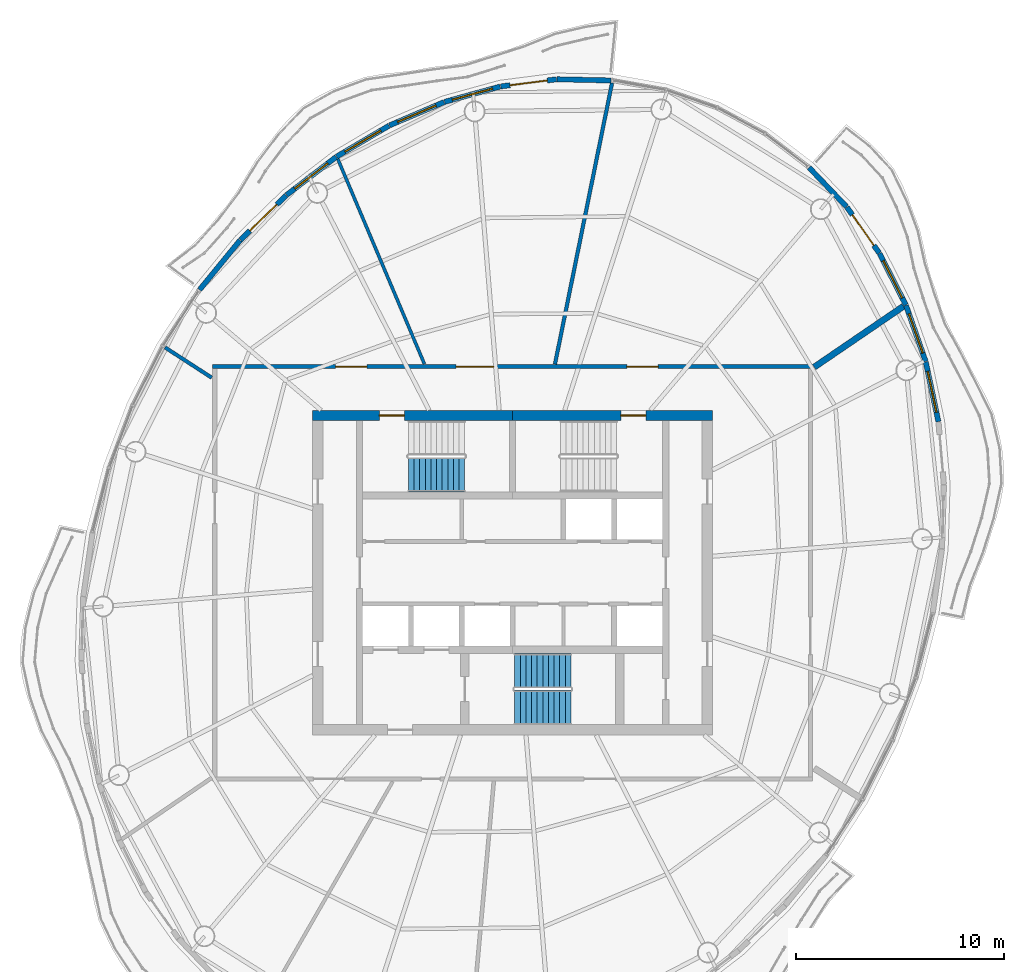
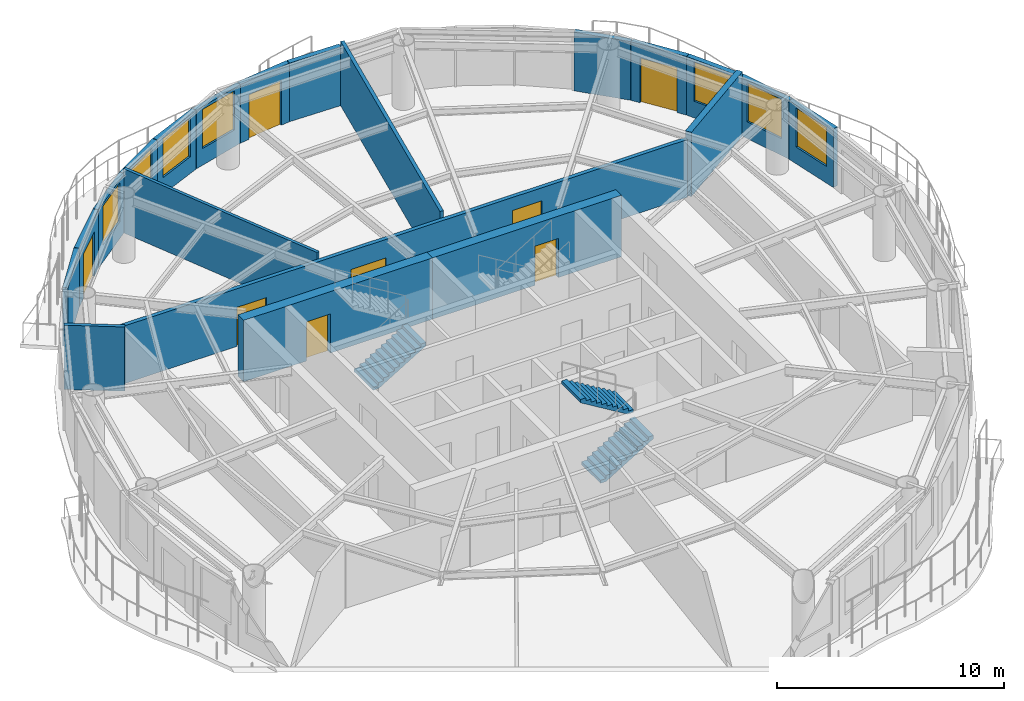
# One storey, part 9 of 13: 20 walls, 8 doors, 7 windows, 3 stair flights, 15 openings, 2 elements without a shape of their own.
"""IFC4 building model written with IfcOpenShell, lengths in metres."""

from ifc_helpers import new_model, si_unit, direction, frame, frame_2d, origin, place, context, subcontext, project, spatial, polyline, rectangle, outline, extrude, material, layer, layer_set, type_object, element, fill, aggregate, save


model = new_model("IFC4")

# Units and contexts
model_context = context("Model", 3, precision=1e-05, world=origin(), true_north=direction((0.0, 1.0)))
body_context = subcontext(model_context, "Body", "Model", "MODEL_VIEW")
ifc_project = project(units=[si_unit("LENGTHUNIT", "METRE"), si_unit("AREAUNIT", "SQUARE_METRE"), si_unit("VOLUMEUNIT", "CUBIC_METRE"), si_unit("PLANEANGLEUNIT", "RADIAN"), si_unit("MASSUNIT", "GRAM", prefix="KILO")], contexts=[model_context])

# Site, building, storey
site_placement = place(None, origin())
site = spatial("IfcSite", under=ifc_project, at=site_placement, CompositionType="ELEMENT")
building_placement = place(site_placement, origin())
building = spatial("IfcBuilding", under=site, at=building_placement, Name="Vermilion Reach Broadcast Tower", CompositionType="ELEMENT")
storey_placement = place(building_placement, frame((0.0, 0.0, 297.300048828125)))
storey = spatial("IfcBuildingStorey", under=building, at=storey_placement, Name="L74", CompositionType="ELEMENT", Elevation=297.300048828125)

# Wall, opening, door
ifc_material_1 = material(Name="Concrete C50", Category="concrete")
ifc_layer_1 = layer(ifc_material_1, 0.5)
ifc_layer_set_1 = layer_set([ifc_layer_1], Name="Core outer wall 500 mm Concrete C50")
wall_type_1 = type_object("IfcWallType", Name="Core outer wall 500 mm Concrete C50", PredefinedType="SHEAR", material=ifc_layer_set_1)
wall_1_placement = place(storey_placement, frame((3.60009765625, 7.550048828125, 0.0), z_axis=(0.0, 0.0, 1.0), x_axis=(-1.0, 0.0, 0.0)))
wall_1 = element("IfcWall", 1, at=wall_1_placement, inside=storey, type_object=wall_type_1, Name="L74 core wall onE", PredefinedType="SHEAR", context=body_context, shape_type="SweptSolid", body=[
    extrude(rectangle(XDim=9.60009765625, YDim=0.5, at=frame_2d((4.800048828125, 0.0))), origin(), (0.0, 0.0, 1.0), 3.300048828125),
])
opening_1_placement = place(wall_1_placement, frame((3.199951171875, 0.0, 0.0)))
opening_1 = element("IfcOpeningElement", 2, at=opening_1_placement, cuts=wall_1, Name="Opening D01", PredefinedType="OPENING", context=body_context, shape_type="SweptSolid", body=[
    extrude(rectangle(XDim=1.199951171875, YDim=2.10009765625, at=frame_2d((0.60009765625, 1.050048828125))), frame((0.0, 0.260009765625, 0.0), z_axis=(0.0, -1.0, 0.0), x_axis=(1.0, 0.0, 0.0)), (0.0, 0.0, 1.0), 0.52001953125),
])
ifc_material_2 = material(Name="Painted steel fire door", Category="steel")
door_type_1 = type_object("IfcDoorType", Name="Stair door 1200 x 2100", OperationType="DOUBLE_DOOR_SINGLE_SWING", PredefinedType="NOTDEFINED", material=ifc_material_2)
door_1_placement = place(opening_1_placement, origin())
door_1 = element("IfcDoor", 3, at=door_1_placement, inside=storey, type_object=door_type_1, Name="L74 stair door ST2", OperationType="DOUBLE_DOOR_SINGLE_SWING", OverallHeight=2.10009765625, OverallWidth=1.199951171875, PredefinedType="NOTDEFINED", context=body_context, shape_type="SweptSolid", body=[
    extrude(rectangle(XDim=1.199951171875, YDim=2.10009765625, at=frame_2d((0.60009765625, 1.050048828125))), frame((0.0, 0.02490234375, 0.0), z_axis=(0.0, -1.0, 0.0), x_axis=(1.0, 0.0, 0.0)), (0.0, 0.0, 1.0), 0.050048828125),
])
fill(opening_1, door_1)

wall_2_placement = place(storey_placement, frame((-6.0, 7.550048828125, 0.0), z_axis=(0.0, 0.0, 1.0), x_axis=(-1.0, 0.0, 0.0)))
wall_2 = element("IfcWall", 4, at=wall_2_placement, inside=storey, type_object=wall_type_1, Name="L74 core wall onW", PredefinedType="SHEAR", context=body_context, shape_type="SweptSolid", body=[
    extrude(rectangle(XDim=9.60009765625, YDim=0.5, at=frame_2d((4.800048828125, 0.0))), origin(), (0.0, 0.0, 1.0), 3.300048828125),
])
opening_2_placement = place(wall_2_placement, frame((5.199951171875, 0.0, 0.0)))
opening_2 = element("IfcOpeningElement", 5, at=opening_2_placement, cuts=wall_2, Name="Opening D01", PredefinedType="OPENING", context=body_context, shape_type="SweptSolid", body=[
    extrude(rectangle(XDim=1.199951171875, YDim=2.10009765625, at=frame_2d((0.60009765625, 1.050048828125))), frame((0.0, 0.260009765625, 0.0), z_axis=(0.0, -1.0, 0.0), x_axis=(1.0, 0.0, 0.0)), (0.0, 0.0, 1.0), 0.52001953125),
])
door_2_placement = place(opening_2_placement, origin())
door_2 = element("IfcDoor", 6, at=door_2_placement, inside=storey, type_object=door_type_1, Name="L74 stair door ST1", OperationType="DOUBLE_DOOR_SINGLE_SWING", OverallHeight=2.10009765625, OverallWidth=1.199951171875, PredefinedType="NOTDEFINED", context=body_context, shape_type="SweptSolid", body=[
    extrude(rectangle(XDim=1.199951171875, YDim=2.10009765625, at=frame_2d((0.60009765625, 1.050048828125))), frame((0.0, 0.02490234375, 0.0), z_axis=(0.0, -1.0, 0.0), x_axis=(1.0, 0.0, 0.0)), (0.0, 0.0, 1.0), 0.050048828125),
])
fill(opening_2, door_2)

# Walls
ifc_material_3 = material(Name="Lightweight concrete block, plastered", Category="concrete")
ifc_layer_2 = layer(ifc_material_3, 0.14990234375)
ifc_layer_set_2 = layer_set([ifc_layer_2], Name="Partition 150 lightweight block")
wall_type_2 = type_object("IfcWallType", Name="Partition 150 lightweight block", PredefinedType="PARTITIONING", material=ifc_layer_set_2)
wall_3_placement = place(storey_placement, frame((-14.396240234375, 19.8701171875, 0.0), z_axis=(0.0, 0.0, 1.0), x_axis=(0.3892448408, -0.921134330003, 0.0)))
element("IfcWall", 7, at=wall_3_placement, inside=storey, type_object=wall_type_2, Name="Partition 74.02", PredefinedType="PARTITIONING", context=body_context, shape_type="SweptSolid", body=[
    extrude(rectangle(XDim=10.683349609375, YDim=0.14990234375, at=frame_2d((5.341796875, 0.0))), origin(), (0.0, 0.0, 1.0), 3.449951171875),
])
ifc_material_4 = material(Name="Fire-rated block, plastered")
ifc_layer_3 = layer(ifc_material_4, 0.175048828125)
ifc_layer_set_3 = layer_set([ifc_layer_3], Name="Partition 175 fire-rated block")
wall_type_3 = type_object("IfcWallType", Name="Partition 175 fire-rated block", PredefinedType="PARTITIONING", material=ifc_layer_set_3)
wall_4_placement = place(storey_placement, frame((-1.22607421875, 23.512451171875, 0.0), z_axis=(0.0, 0.0, 1.0), x_axis=(-0.19897585387, -0.980004392631, 0.0)))
element("IfcWall", 8, at=wall_4_placement, inside=storey, type_object=wall_type_3, Name="Partition 74.01", PredefinedType="PARTITIONING", context=body_context, shape_type="SweptSolid", body=[
    extrude(rectangle(XDim=13.7705078125, YDim=0.175048828125, at=frame_2d((6.88525390625, 0.0))), origin(), (0.0, 0.0, 1.0), 3.449951171875),
])
wall_5_placement = place(storey_placement, frame((-22.69091796875, 10.818603515625, 0.0), z_axis=(0.0, 0.0, 1.0), x_axis=(0.839187719757, -0.543841862134, 0.0)))
element("IfcWall", 9, at=wall_5_placement, inside=storey, type_object=wall_type_3, Name="Partition 74.03", PredefinedType="PARTITIONING", context=body_context, shape_type="SweptSolid", body=[
    extrude(rectangle(XDim=2.67333984375, YDim=0.175048828125, at=frame_2d((1.336669921875, 0.0))), origin(), (0.0, 0.0, 1.0), 3.449951171875),
])
ifc_material_5 = material(Name="Double-leaf plasterboard on isolated steel stud", Category="steel")
ifc_layer_4 = layer(ifc_material_5, 0.300048828125)
ifc_layer_set_4 = layer_set([ifc_layer_4], Name="Partition 300 acoustic double leaf")
wall_type_4 = type_object("IfcWallType", Name="Partition 300 acoustic double leaf", PredefinedType="PARTITIONING", material=ifc_layer_set_4)
wall_6_placement = place(storey_placement, frame((12.7724609375, 12.79736328125, 0.0), z_axis=(0.0, 0.0, 1.0), x_axis=(-0.826281084678, -0.563257995152, 0.0)))
element("IfcWall", 10, at=wall_6_placement, inside=storey, type_object=wall_type_4, Name="Partition 74.08", PredefinedType="PARTITIONING", context=body_context, shape_type="SweptSolid", body=[
    extrude(rectangle(XDim=5.189697265625, YDim=0.300048828125, at=frame_2d((2.5947265625, 0.0))), origin(), (0.0, 0.0, 1.0), 3.449951171875),
])
ifc_material_6 = material(Name="Terracotta rainscreen cladding", Category="masonry")
ifc_layer_5 = layer(ifc_material_6, 0.25)
ifc_layer_set_5 = layer_set([ifc_layer_5], Name="Terracotta rainscreen wall 250")
wall_type_5 = type_object("IfcWallType", Name="Terracotta rainscreen wall 250", PredefinedType="SOLIDWALL", material=ifc_layer_set_5)
wall_7_placement = place(storey_placement, frame((-1.268798828125, 23.63818359375, 0.0), z_axis=(0.0, 0.0, 1.0), x_axis=(-0.999760314133, 0.021893247481, 0.0)))
element("IfcWall", 11, at=wall_7_placement, inside=storey, type_object=wall_type_5, Name="External wall L74 02", PredefinedType="SOLIDWALL", context=body_context, shape_type="SweptSolid", body=[
    extrude(rectangle(XDim=2.598388671875, YDim=0.25, at=frame_2d((1.29931640625, 0.0))), origin(), (0.0, 0.0, 1.0), 3.14990234375),
])

# Wall, opening, door
wall_8_placement = place(storey_placement, frame((-3.89306640625, 23.69384765625, 0.0), z_axis=(0.0, 0.0, 1.0), x_axis=(-0.991933339644, -0.126760599962, 0.0)))
wall_8 = element("IfcWall", 12, at=wall_8_placement, inside=storey, type_object=wall_type_5, Name="External wall L74 03", PredefinedType="SOLIDWALL", context=body_context, shape_type="SweptSolid", body=[
    extrude(rectangle(XDim=2.7001953125, YDim=0.25, at=frame_2d((1.35009765625, 0.0))), origin(), (0.0, 0.0, 1.0), 3.14990234375),
])
opening_3_placement = place(wall_8_placement, frame((0.449951171875, 0.0, 0.0)))
opening_3 = element("IfcOpeningElement", 13, at=opening_3_placement, cuts=wall_8, Name="Opening D70", PredefinedType="OPENING", context=body_context, shape_type="SweptSolid", body=[
    extrude(rectangle(XDim=1.800048828125, YDim=2.39990234375, at=frame_2d((0.89990234375, 1.199951171875))), frame((0.0, 0.135009765625, 0.0), z_axis=(0.0, -1.0, 0.0), x_axis=(1.0, 0.0, 0.0)), (0.0, 0.0, 1.0), 0.27001953125),
])
ifc_material_7 = material(Name="Low-e laminated clear glass in aluminium frame", Category="aluminium")
door_type_2 = type_object("IfcDoorType", Name="Balcony sliding door 1800 x 2400", OperationType="DOUBLE_DOOR_SLIDING", PredefinedType="DOOR", material=ifc_material_7)
door_3_placement = place(opening_3_placement, origin())
door_3 = element("IfcDoor", 14, at=door_3_placement, inside=storey, type_object=door_type_2, Name="Balcony door L74 run 01", OperationType="DOUBLE_DOOR_SLIDING", OverallHeight=2.39990234375, OverallWidth=1.800048828125, PredefinedType="DOOR", context=body_context, shape_type="SweptSolid", body=[
    extrude(rectangle(XDim=1.800048828125, YDim=2.39990234375, at=frame_2d((0.89990234375, 1.199951171875))), frame((0.0, 0.02490234375, 0.0), z_axis=(0.0, -1.0, 0.0), x_axis=(1.0, 0.0, 0.0)), (0.0, 0.0, 1.0), 0.050048828125),
])
fill(opening_3, door_3)

# Wall, opening, window
wall_9_placement = place(storey_placement, frame((-6.5966796875, 23.346435546875, 0.0), z_axis=(0.0, 0.0, 1.0), x_axis=(-0.963931868204, -0.266149118841, 0.0)))
wall_9 = element("IfcWall", 15, at=wall_9_placement, inside=storey, type_object=wall_type_5, Name="External wall L74 04", PredefinedType="SOLIDWALL", context=body_context, shape_type="SweptSolid", body=[
    extrude(rectangle(XDim=2.772216796875, YDim=0.25, at=frame_2d((1.38623046875, 0.0))), origin(), (0.0, 0.0, 1.0), 3.14990234375),
])
opening_4_placement = place(wall_9_placement, frame((0.385986328125, 0.0, 0.89990234375)))
opening_4 = element("IfcOpeningElement", 16, at=opening_4_placement, cuts=wall_9, Name="Opening W03", PredefinedType="OPENING", context=body_context, shape_type="SweptSolid", body=[
    extrude(rectangle(XDim=2.0, YDim=2.10009765625, at=frame_2d((1.0, 1.050048828125))), frame((0.0, 0.135009765625, 0.0), z_axis=(0.0, -1.0, 0.0), x_axis=(1.0, 0.0, 0.0)), (0.0, 0.0, 1.0), 0.27001953125),
])
ifc_material_8 = material(Name="Low-e laminated clear glass in aluminium frame", Category="aluminium")
window_type = type_object("IfcWindowType", Name="Punched window 2000 x 2100 sill 900", PartitioningType="SINGLE_PANEL", PredefinedType="WINDOW", material=ifc_material_8)
window_1_placement = place(opening_4_placement, origin())
window_1 = element("IfcWindow", 17, at=window_1_placement, inside=storey, type_object=window_type, Name="Window L74 04", OverallHeight=2.10009765625, OverallWidth=2.0, PartitioningType="SINGLE_PANEL", PredefinedType="WINDOW", context=body_context, shape_type="SweptSolid", body=[
    extrude(rectangle(XDim=2.0, YDim=2.10009765625, at=frame_2d((1.0, 1.050048828125))), frame((0.0, 0.030029296875, 0.0), z_axis=(0.0, -1.0, 0.0), x_axis=(1.0, 0.0, 0.0)), (0.0, 0.0, 1.0), 0.06005859375),
])
fill(opening_4, window_1)

wall_10_placement = place(storey_placement, frame((-9.292236328125, 22.6005859375, 0.0), z_axis=(0.0, 0.0, 1.0), x_axis=(-0.919251327093, -0.393671179586, 0.0)))
wall_10 = element("IfcWall", 18, at=wall_10_placement, inside=storey, type_object=wall_type_5, Name="External wall L74 05", PredefinedType="SOLIDWALL", context=body_context, shape_type="SweptSolid", body=[
    extrude(rectangle(XDim=2.850341796875, YDim=0.25, at=frame_2d((1.42529296875, 0.0))), origin(), (0.0, 0.0, 1.0), 3.14990234375),
])
opening_5_placement = place(wall_10_placement, frame((0.425048828125, 0.0, 0.89990234375)))
opening_5 = element("IfcOpeningElement", 19, at=opening_5_placement, cuts=wall_10, Name="Opening W03", PredefinedType="OPENING", context=body_context, shape_type="SweptSolid", body=[
    extrude(rectangle(XDim=2.0, YDim=2.10009765625, at=frame_2d((1.0, 1.050048828125))), frame((0.0, 0.135009765625, 0.0), z_axis=(0.0, -1.0, 0.0), x_axis=(1.0, 0.0, 0.0)), (0.0, 0.0, 1.0), 0.27001953125),
])
window_2_placement = place(opening_5_placement, origin())
window_2 = element("IfcWindow", 20, at=window_2_placement, inside=storey, type_object=window_type, Name="Window L74 05", OverallHeight=2.10009765625, OverallWidth=2.0, PartitioningType="SINGLE_PANEL", PredefinedType="WINDOW", context=body_context, shape_type="SweptSolid", body=[
    extrude(rectangle(XDim=2.0, YDim=2.10009765625, at=frame_2d((1.0, 1.050048828125))), frame((0.0, 0.030029296875, 0.0), z_axis=(0.0, -1.0, 0.0), x_axis=(1.0, 0.0, 0.0)), (0.0, 0.0, 1.0), 0.06005859375),
])
fill(opening_5, window_2)

wall_11_placement = place(storey_placement, frame((-11.933837890625, 21.4677734375, 0.0), z_axis=(0.0, 0.0, 1.0), x_axis=(-0.861243352176, -0.508192766902, 0.0)))
wall_11 = element("IfcWall", 21, at=wall_11_placement, inside=storey, type_object=wall_type_5, Name="External wall L74 06", PredefinedType="SOLIDWALL", context=body_context, shape_type="SweptSolid", body=[
    extrude(rectangle(XDim=2.928466796875, YDim=0.25, at=frame_2d((1.46435546875, 0.0))), origin(), (0.0, 0.0, 1.0), 3.14990234375),
])
opening_6_placement = place(wall_11_placement, frame((0.46435546875, 0.0, 0.89990234375)))
opening_6 = element("IfcOpeningElement", 22, at=opening_6_placement, cuts=wall_11, Name="Opening W03", PredefinedType="OPENING", context=body_context, shape_type="SweptSolid", body=[
    extrude(rectangle(XDim=2.0, YDim=2.10009765625, at=frame_2d((1.0, 1.050048828125))), frame((0.0, 0.135009765625, 0.0), z_axis=(0.0, -1.0, 0.0), x_axis=(1.0, 0.0, 0.0)), (0.0, 0.0, 1.0), 0.27001953125),
])
window_3_placement = place(opening_6_placement, origin())
window_3 = element("IfcWindow", 23, at=window_3_placement, inside=storey, type_object=window_type, Name="Window L74 06", OverallHeight=2.10009765625, OverallWidth=2.0, PartitioningType="SINGLE_PANEL", PredefinedType="WINDOW", context=body_context, shape_type="SweptSolid", body=[
    extrude(rectangle(XDim=2.0, YDim=2.10009765625, at=frame_2d((1.0, 1.050048828125))), frame((0.0, 0.030029296875, 0.0), z_axis=(0.0, -1.0, 0.0), x_axis=(1.0, 0.0, 0.0)), (0.0, 0.0, 1.0), 0.06005859375),
])
fill(opening_6, window_3)

wall_12_placement = place(storey_placement, frame((-14.475341796875, 19.966552734375, 0.0), z_axis=(0.0, 0.0, 1.0), x_axis=(-0.792959396459, -0.609274482944, 0.0)))
wall_12 = element("IfcWall", 24, at=wall_12_placement, inside=storey, type_object=wall_type_5, Name="External wall L74 07", PredefinedType="SOLIDWALL", context=body_context, shape_type="SweptSolid", body=[
    extrude(rectangle(XDim=3.00244140625, YDim=0.25, at=frame_2d((1.501220703125, 0.0))), origin(), (0.0, 0.0, 1.0), 3.14990234375),
])
opening_7_placement = place(wall_12_placement, frame((0.501220703125, 0.0, 0.89990234375)))
opening_7 = element("IfcOpeningElement", 25, at=opening_7_placement, cuts=wall_12, Name="Opening W03", PredefinedType="OPENING", context=body_context, shape_type="SweptSolid", body=[
    extrude(rectangle(XDim=2.0, YDim=2.10009765625, at=frame_2d((1.0, 1.050048828125))), frame((0.0, 0.135009765625, 0.0), z_axis=(0.0, -1.0, 0.0), x_axis=(1.0, 0.0, 0.0)), (0.0, 0.0, 1.0), 0.27001953125),
])
window_4_placement = place(opening_7_placement, origin())
window_4 = element("IfcWindow", 26, at=window_4_placement, inside=storey, type_object=window_type, Name="Window L74 07", OverallHeight=2.10009765625, OverallWidth=2.0, PartitioningType="SINGLE_PANEL", PredefinedType="WINDOW", context=body_context, shape_type="SweptSolid", body=[
    extrude(rectangle(XDim=2.0, YDim=2.10009765625, at=frame_2d((1.0, 1.050048828125))), frame((0.0, 0.030029296875, 0.0), z_axis=(0.0, -1.0, 0.0), x_axis=(1.0, 0.0, 0.0)), (0.0, 0.0, 1.0), 0.06005859375),
])
fill(opening_7, window_4)

# Wall, opening, door
wall_13_placement = place(storey_placement, frame((-16.873291015625, 18.122314453125, 0.0), z_axis=(0.0, 0.0, 1.0), x_axis=(-0.716476423042, -0.697611306692, 0.0)))
wall_13 = element("IfcWall", 27, at=wall_13_placement, inside=storey, type_object=wall_type_5, Name="External wall L74 08", PredefinedType="SOLIDWALL", context=body_context, shape_type="SweptSolid", body=[
    extrude(rectangle(XDim=3.067138671875, YDim=0.25, at=frame_2d((1.53369140625, 0.0))), origin(), (0.0, 0.0, 1.0), 3.14990234375),
])
opening_8_placement = place(wall_13_placement, frame((0.634033203125, 0.0, 0.0)))
opening_8 = element("IfcOpeningElement", 28, at=opening_8_placement, cuts=wall_13, Name="Opening D70", PredefinedType="OPENING", context=body_context, shape_type="SweptSolid", body=[
    extrude(rectangle(XDim=1.800048828125, YDim=2.39990234375, at=frame_2d((0.89990234375, 1.199951171875))), frame((0.0, 0.135009765625, 0.0), z_axis=(0.0, -1.0, 0.0), x_axis=(1.0, 0.0, 0.0)), (0.0, 0.0, 1.0), 0.27001953125),
])
door_4_placement = place(opening_8_placement, origin())
door_4 = element("IfcDoor", 29, at=door_4_placement, inside=storey, type_object=door_type_2, Name="Balcony door L74 run 02", OperationType="DOUBLE_DOOR_SLIDING", OverallHeight=2.39990234375, OverallWidth=1.800048828125, PredefinedType="DOOR", context=body_context, shape_type="SweptSolid", body=[
    extrude(rectangle(XDim=1.800048828125, YDim=2.39990234375, at=frame_2d((0.89990234375, 1.199951171875))), frame((0.0, 0.02490234375, 0.0), z_axis=(0.0, -1.0, 0.0), x_axis=(1.0, 0.0, 0.0)), (0.0, 0.0, 1.0), 0.050048828125),
])
fill(opening_8, door_4)

# Wall
wall_14_placement = place(storey_placement, frame((-19.085693359375, 15.96630859375, 0.0), z_axis=(0.0, 0.0, 1.0), x_axis=(-0.63346692687, -0.773769767154, 0.0)))
element("IfcWall", 30, at=wall_14_placement, inside=storey, type_object=wall_type_5, Name="External wall L74 09", PredefinedType="SOLIDWALL", context=body_context, shape_type="SweptSolid", body=[
    extrude(rectangle(XDim=3.07470703125, YDim=0.25, at=frame_2d((1.537353515625, 0.0))), origin(), (0.0, 0.0, 1.0), 3.14990234375),
])

# Wall, opening, window
wall_15_placement = place(storey_placement, frame((14.44580078125, 7.25634765625, 0.0), z_axis=(0.0, 0.0, 1.0), x_axis=(-0.206909487165, 0.978360089191, 0.0)))
wall_15 = element("IfcWall", 31, at=wall_15_placement, inside=storey, type_object=wall_type_5, Name="External wall L74 41", PredefinedType="SOLIDWALL", context=body_context, shape_type="SweptSolid", body=[
    extrude(rectangle(XDim=2.9287109375, YDim=0.25, at=frame_2d((1.46435546875, 0.0))), origin(), (0.0, 0.0, 1.0), 3.14990234375),
])
opening_9_placement = place(wall_15_placement, frame((0.46435546875, 0.0, 0.89990234375)))
opening_9 = element("IfcOpeningElement", 32, at=opening_9_placement, cuts=wall_15, Name="Opening W03", PredefinedType="OPENING", context=body_context, shape_type="SweptSolid", body=[
    extrude(rectangle(XDim=2.0, YDim=2.10009765625, at=frame_2d((1.0, 1.050048828125))), frame((0.0, 0.135009765625, 0.0), z_axis=(0.0, -1.0, 0.0), x_axis=(1.0, 0.0, 0.0)), (0.0, 0.0, 1.0), 0.27001953125),
])
window_5_placement = place(opening_9_placement, origin())
window_5 = element("IfcWindow", 33, at=window_5_placement, inside=storey, type_object=window_type, Name="Window L74 41", OverallHeight=2.10009765625, OverallWidth=2.0, PartitioningType="SINGLE_PANEL", PredefinedType="WINDOW", context=body_context, shape_type="SweptSolid", body=[
    extrude(rectangle(XDim=2.0, YDim=2.10009765625, at=frame_2d((1.0, 1.050048828125))), frame((0.0, 0.030029296875, 0.0), z_axis=(0.0, -1.0, 0.0), x_axis=(1.0, 0.0, 0.0)), (0.0, 0.0, 1.0), 0.06005859375),
])
fill(opening_9, window_5)

wall_16_placement = place(storey_placement, frame((13.83349609375, 10.144775390625, 0.0), z_axis=(0.0, 0.0, 1.0), x_axis=(-0.330480153195, 0.943812941395, 0.0)))
wall_16 = element("IfcWall", 34, at=wall_16_placement, inside=storey, type_object=wall_type_5, Name="External wall L74 42", PredefinedType="SOLIDWALL", context=body_context, shape_type="SweptSolid", body=[
    extrude(rectangle(XDim=2.85009765625, YDim=0.25, at=frame_2d((1.425048828125, 0.0))), origin(), (0.0, 0.0, 1.0), 3.14990234375),
])
opening_10_placement = place(wall_16_placement, frame((0.425048828125, 0.0, 0.89990234375)))
opening_10 = element("IfcOpeningElement", 35, at=opening_10_placement, cuts=wall_16, Name="Opening W03", PredefinedType="OPENING", context=body_context, shape_type="SweptSolid", body=[
    extrude(rectangle(XDim=2.0, YDim=2.10009765625, at=frame_2d((1.0, 1.050048828125))), frame((0.0, 0.135009765625, 0.0), z_axis=(0.0, -1.0, 0.0), x_axis=(1.0, 0.0, 0.0)), (0.0, 0.0, 1.0), 0.27001953125),
])
window_6_placement = place(opening_10_placement, origin())
window_6 = element("IfcWindow", 36, at=window_6_placement, inside=storey, type_object=window_type, Name="Window L74 42", OverallHeight=2.10009765625, OverallWidth=2.0, PartitioningType="SINGLE_PANEL", PredefinedType="WINDOW", context=body_context, shape_type="SweptSolid", body=[
    extrude(rectangle(XDim=2.0, YDim=2.10009765625, at=frame_2d((1.0, 1.050048828125))), frame((0.0, 0.030029296875, 0.0), z_axis=(0.0, -1.0, 0.0), x_axis=(1.0, 0.0, 0.0)), (0.0, 0.0, 1.0), 0.06005859375),
])
fill(opening_10, window_6)

wall_17_placement = place(storey_placement, frame((12.8818359375, 12.857666015625, 0.0), z_axis=(0.0, 0.0, 1.0), x_axis=(-0.454701355294, 0.890643967865, 0.0)))
wall_17 = element("IfcWall", 37, at=wall_17_placement, inside=storey, type_object=wall_type_5, Name="External wall L74 43", PredefinedType="SOLIDWALL", context=body_context, shape_type="SweptSolid", body=[
    extrude(rectangle(XDim=2.772216796875, YDim=0.25, at=frame_2d((1.38623046875, 0.0))), origin(), (0.0, 0.0, 1.0), 3.14990234375),
])
opening_11_placement = place(wall_17_placement, frame((0.385986328125, 0.0, 0.89990234375)))
opening_11 = element("IfcOpeningElement", 38, at=opening_11_placement, cuts=wall_17, Name="Opening W03", PredefinedType="OPENING", context=body_context, shape_type="SweptSolid", body=[
    extrude(rectangle(XDim=2.0, YDim=2.10009765625, at=frame_2d((1.0, 1.050048828125))), frame((0.0, 0.135009765625, 0.0), z_axis=(0.0, -1.0, 0.0), x_axis=(1.0, 0.0, 0.0)), (0.0, 0.0, 1.0), 0.27001953125),
])
window_7_placement = place(opening_11_placement, origin())
window_7 = element("IfcWindow", 39, at=window_7_placement, inside=storey, type_object=window_type, Name="Window L74 43", OverallHeight=2.10009765625, OverallWidth=2.0, PartitioningType="SINGLE_PANEL", PredefinedType="WINDOW", context=body_context, shape_type="SweptSolid", body=[
    extrude(rectangle(XDim=2.0, YDim=2.10009765625, at=frame_2d((1.0, 1.050048828125))), frame((0.0, 0.030029296875, 0.0), z_axis=(0.0, -1.0, 0.0), x_axis=(1.0, 0.0, 0.0)), (0.0, 0.0, 1.0), 0.06005859375),
])
fill(opening_11, window_7)

# Wall, opening, door
wall_18_placement = place(storey_placement, frame((11.60791015625, 15.3486328125, 0.0), z_axis=(0.0, 0.0, 1.0), x_axis=(-0.576395629651, 0.817170776594, 0.0)))
wall_18 = element("IfcWall", 40, at=wall_18_placement, inside=storey, type_object=wall_type_5, Name="External wall L74 44", PredefinedType="SOLIDWALL", context=body_context, shape_type="SweptSolid", body=[
    extrude(rectangle(XDim=2.7001953125, YDim=0.25, at=frame_2d((1.35009765625, 0.0))), origin(), (0.0, 0.0, 1.0), 3.14990234375),
])
opening_12_placement = place(wall_18_placement, frame((0.449951171875, 0.0, 0.0)))
opening_12 = element("IfcOpeningElement", 41, at=opening_12_placement, cuts=wall_18, Name="Opening D70", PredefinedType="OPENING", context=body_context, shape_type="SweptSolid", body=[
    extrude(rectangle(XDim=1.800048828125, YDim=2.39990234375, at=frame_2d((0.89990234375, 1.199951171875))), frame((0.0, 0.135009765625, 0.0), z_axis=(0.0, -1.0, 0.0), x_axis=(1.0, 0.0, 0.0)), (0.0, 0.0, 1.0), 0.27001953125),
])
door_5_placement = place(opening_12_placement, origin())
door_5 = element("IfcDoor", 42, at=door_5_placement, inside=storey, type_object=door_type_2, Name="Balcony door L74 run 11", OperationType="DOUBLE_DOOR_SLIDING", OverallHeight=2.39990234375, OverallWidth=1.800048828125, PredefinedType="DOOR", context=body_context, shape_type="SweptSolid", body=[
    extrude(rectangle(XDim=1.800048828125, YDim=2.39990234375, at=frame_2d((0.89990234375, 1.199951171875))), frame((0.0, 0.02490234375, 0.0), z_axis=(0.0, -1.0, 0.0), x_axis=(1.0, 0.0, 0.0)), (0.0, 0.0, 1.0), 0.050048828125),
])
fill(opening_12, door_5)

# Wall
wall_19_placement = place(storey_placement, frame((10.03466796875, 17.57568359375, 0.0), z_axis=(0.0, 0.0, 1.0), x_axis=(-0.691337834589, 0.722531659145, 0.0)))
element("IfcWall", 43, at=wall_19_placement, inside=storey, type_object=wall_type_5, Name="External wall L74 45", PredefinedType="SOLIDWALL", context=body_context, shape_type="SweptSolid", body=[
    extrude(rectangle(XDim=2.598388671875, YDim=0.25, at=frame_2d((1.29931640625, 0.0))), origin(), (0.0, 0.0, 1.0), 3.14990234375),
])

# Wall, openings, doors
ifc_material_9 = material(Name="Fire-rated gypsum board partition")
ifc_layer_6 = layer(ifc_material_9, 0.199951171875)
ifc_layer_set_6 = layer_set([ifc_layer_6], Name="Under girder: Corridor wall 200 fire-rated")
wall_type_6 = type_object("IfcWallType", Name="Under girder: Corridor wall 200 fire-rated", PredefinedType="PARTITIONING", material=ifc_layer_set_6)
wall_20_placement = place(storey_placement, frame((-20.39990234375, 9.89990234375, 0.0), z_axis=(0.0, 0.0, 1.0), x_axis=(1.0, 0.0, 0.0)))
wall_20 = element("IfcWall", 44, at=wall_20_placement, inside=storey, type_object=wall_type_6, Name="Corridor wall 74.N", PredefinedType="PARTITIONING", context=body_context, shape_type="SweptSolid", body=[
    extrude(rectangle(XDim=28.7998046875, YDim=0.199951171875, at=frame_2d((14.39990234375, 0.0))), origin(), (0.0, 0.0, 1.0), 3.099853515625),
])
opening_13_placement = place(wall_20_placement, frame((11.686279296875, 0.0, 0.0)))
opening_13 = element("IfcOpeningElement", 45, at=opening_13_placement, cuts=wall_20, Name="Opening D21", PredefinedType="OPENING", context=body_context, shape_type="SweptSolid", body=[
    extrude(rectangle(XDim=1.800048828125, YDim=2.10009765625, at=frame_2d((0.89990234375, 1.050048828125))), frame((0.0, 0.10986328125, 0.0), z_axis=(0.0, -1.0, 0.0), x_axis=(1.0, 0.0, 0.0)), (0.0, 0.0, 1.0), 0.219970703125),
])
opening_14_placement = place(wall_20_placement, frame((5.897216796875, 0.0, 0.0)))
opening_14 = element("IfcOpeningElement", 46, at=opening_14_placement, cuts=wall_20, Name="Opening D24", PredefinedType="OPENING", context=body_context, shape_type="SweptSolid", body=[
    extrude(rectangle(XDim=1.5, YDim=2.10009765625, at=frame_2d((0.75, 1.050048828125))), frame((0.0, 0.10986328125, 0.0), z_axis=(0.0, -1.0, 0.0), x_axis=(1.0, 0.0, 0.0)), (0.0, 0.0, 1.0), 0.219970703125),
])
opening_15_placement = place(wall_20_placement, frame((19.891357421875, 0.0, 0.0)))
opening_15 = element("IfcOpeningElement", 47, at=opening_15_placement, cuts=wall_20, Name="Opening D25", PredefinedType="OPENING", context=body_context, shape_type="SweptSolid", body=[
    extrude(rectangle(XDim=1.5, YDim=2.39990234375, at=frame_2d((0.75, 1.199951171875))), frame((0.0, 0.10986328125, 0.0), z_axis=(0.0, -1.0, 0.0), x_axis=(1.0, 0.0, 0.0)), (0.0, 0.0, 1.0), 0.219970703125),
])
ifc_material_10 = material(Name="Timber door leaf", Category="wood")
door_type_3 = type_object("IfcDoorType", Name="Door pair 1500x2100", OperationType="NOTDEFINED", PredefinedType="DOOR", material=ifc_material_10)
door_6_placement = place(opening_14_placement, origin())
door_6 = element("IfcDoor", 48, at=door_6_placement, inside=storey, type_object=door_type_3, Name="Door 74.02", OperationType="DOUBLE_DOOR_SINGLE_SWING", OverallHeight=2.10009765625, OverallWidth=1.5, PredefinedType="DOOR", context=body_context, shape_type="SweptSolid", body=[
    extrude(rectangle(XDim=1.5, YDim=2.10009765625, at=frame_2d((0.75, 1.050048828125))), frame((0.0, 0.02490234375, 0.0), z_axis=(0.0, -1.0, 0.0), x_axis=(1.0, 0.0, 0.0)), (0.0, 0.0, 1.0), 0.050048828125),
])
fill(opening_14, door_6)
ifc_material_11 = material(Name="Glazed timber door leaf", Category="wood")
door_type_4 = type_object("IfcDoorType", Name="Door pair 1500x2400", OperationType="NOTDEFINED", PredefinedType="DOOR", material=ifc_material_11)
door_7_placement = place(opening_15_placement, origin())
door_7 = element("IfcDoor", 49, at=door_7_placement, inside=storey, type_object=door_type_4, Name="Door 74.08", OperationType="DOUBLE_DOOR_SINGLE_SWING", OverallHeight=2.39990234375, OverallWidth=1.5, PredefinedType="DOOR", context=body_context, shape_type="SweptSolid", body=[
    extrude(rectangle(XDim=1.5, YDim=2.39990234375, at=frame_2d((0.75, 1.199951171875))), frame((0.0, 0.02490234375, 0.0), z_axis=(0.0, -1.0, 0.0), x_axis=(1.0, 0.0, 0.0)), (0.0, 0.0, 1.0), 0.050048828125),
])
fill(opening_15, door_7)
ifc_material_12 = material(Name="Timber door leaf", Category="wood")
door_type_5 = type_object("IfcDoorType", Name="Door pair 1800x2100", OperationType="NOTDEFINED", PredefinedType="DOOR", material=ifc_material_12)
door_8_placement = place(opening_13_placement, origin())
door_8 = element("IfcDoor", 50, at=door_8_placement, inside=storey, type_object=door_type_5, Name="Door 74.01", OperationType="DOUBLE_DOOR_SINGLE_SWING", OverallHeight=2.10009765625, OverallWidth=1.800048828125, PredefinedType="DOOR", context=body_context, shape_type="SweptSolid", body=[
    extrude(rectangle(XDim=1.800048828125, YDim=2.10009765625, at=frame_2d((0.89990234375, 1.050048828125))), frame((0.0, 0.02490234375, 0.0), z_axis=(0.0, -1.0, 0.0), x_axis=(1.0, 0.0, 0.0)), (0.0, 0.0, 1.0), 0.050048828125),
])
fill(opening_13, door_8)

# Stair, stair flight
ifc_material_13 = material(Name="Concrete C40", Category="concrete")
stair_type = type_object("IfcStairType", Name="Exit stair RC 22 risers 164 mm", PredefinedType="HALF_TURN_STAIR", material=ifc_material_13)
placement = place(storey_placement, origin())
stair_1 = element("IfcStair", 51, at=placement, inside=storey, type_object=stair_type, Name="L74 Exit stair ST1", PredefinedType="HALF_TURN_STAIR")
ifc_material_14 = material(Name="Concrete C40", Category="concrete")
stair_flight_type = type_object("IfcStairFlightType", Name="Exit stair flight RC 11 risers", PredefinedType="STRAIGHT", material=ifc_material_14)
stair_flight_1_placement = place(storey_placement, frame((-11.0, 4.7099609375, 0.0), z_axis=(0.0, 0.0, 1.0), x_axis=(1.0, 0.0, 0.0)))
stair_flight_1 = element("IfcStairFlight", 52, at=stair_flight_1_placement, type_object=stair_flight_type, Name="ST1 flight 1", NumberOfRisers=11, NumberOfTreads=10, PredefinedType="STRAIGHT", RiserHeight=0.163636364, TreadLength=0.27, context=body_context, shape_type="SweptSolid", body=[
    extrude(outline(polyline([(0.0, 0.0), (0.0, 0.16357421875), (0.27001953125, 0.16357421875), (0.27001953125, 0.327392578125), (0.5400390625, 0.327392578125), (0.5400390625, 0.490966796875), (0.81005859375, 0.490966796875), (0.81005859375, 0.654541015625), (1.080078125, 0.654541015625), (1.080078125, 0.818115234375), (1.35009765625, 0.818115234375), (1.35009765625, 0.98193359375), (1.6201171875, 0.98193359375), (1.6201171875, 1.1455078125), (1.889892578125, 1.1455078125), (1.889892578125, 1.30908203125), (2.159912109375, 1.30908203125), (2.159912109375, 1.47265625), (2.429931640625, 1.47265625), (2.429931640625, 1.636474609375), (2.699951171875, 1.636474609375), (2.699951171875, 1.800048828125), (2.699951171875, 1.461181640625), (0.289306640625, 0.0), (0.0, 0.0)])), frame((0.0, 0.830078125, 0.0), z_axis=(0.0, -1.0, 0.0), x_axis=(1.0, 0.0, 0.0)), (0.0, 0.0, 1.0), 1.659912109375),
])
aggregate(stair_1, [stair_flight_1])

# Stair, stair flights
stair_2 = element("IfcStair", 53, at=placement, inside=storey, type_object=stair_type, Name="L74 Exit stair ST3", PredefinedType="HALF_TURN_STAIR")
stair_flight_2_placement = place(storey_placement, frame((-5.89990234375, -6.469970703125, 0.0), z_axis=(0.0, 0.0, 1.0), x_axis=(1.0, 0.0, 0.0)))
stair_flight_2 = element("IfcStairFlight", 54, at=stair_flight_2_placement, type_object=stair_flight_type, Name="ST3 flight 1", NumberOfRisers=11, NumberOfTreads=10, PredefinedType="STRAIGHT", RiserHeight=0.163636364, TreadLength=0.27, context=body_context, shape_type="SweptSolid", body=[
    extrude(outline(polyline([(0.0, 0.0), (0.0, 0.16357421875), (0.27001953125, 0.16357421875), (0.27001953125, 0.327392578125), (0.5400390625, 0.327392578125), (0.5400390625, 0.490966796875), (0.81005859375, 0.490966796875), (0.81005859375, 0.654541015625), (1.080078125, 0.654541015625), (1.080078125, 0.818115234375), (1.35009765625, 0.818115234375), (1.35009765625, 0.98193359375), (1.6201171875, 0.98193359375), (1.6201171875, 1.1455078125), (1.889892578125, 1.1455078125), (1.889892578125, 1.30908203125), (2.159912109375, 1.30908203125), (2.159912109375, 1.47265625), (2.429931640625, 1.47265625), (2.429931640625, 1.636474609375), (2.699951171875, 1.636474609375), (2.699951171875, 1.800048828125), (2.699951171875, 1.461181640625), (0.289306640625, 0.0), (0.0, 0.0)])), frame((0.0, 0.830078125, 0.0), z_axis=(0.0, -1.0, 0.0), x_axis=(1.0, 0.0, 0.0)), (0.0, 0.0, 1.0), 1.659912109375),
])
stair_flight_3_placement = place(storey_placement, frame((-3.199951171875, -4.7099609375, 1.800048828125), z_axis=(0.0, 0.0, 1.0), x_axis=(-1.0, 0.0, 0.0)))
stair_flight_3 = element("IfcStairFlight", 55, at=stair_flight_3_placement, type_object=stair_flight_type, Name="ST3 flight 2", NumberOfRisers=11, NumberOfTreads=10, PredefinedType="STRAIGHT", RiserHeight=0.163636364, TreadLength=0.27, context=body_context, shape_type="SweptSolid", body=[
    extrude(outline(polyline([(0.0, 0.0), (0.0, 0.16357421875), (0.27001953125, 0.16357421875), (0.27001953125, 0.327392578125), (0.5400390625, 0.327392578125), (0.5400390625, 0.490966796875), (0.81005859375, 0.490966796875), (0.81005859375, 0.654541015625), (1.080078125, 0.654541015625), (1.080078125, 0.818115234375), (1.35009765625, 0.818115234375), (1.35009765625, 0.98193359375), (1.6201171875, 0.98193359375), (1.6201171875, 1.1455078125), (1.889892578125, 1.1455078125), (1.889892578125, 1.30908203125), (2.159912109375, 1.30908203125), (2.159912109375, 1.47265625), (2.429931640625, 1.47265625), (2.429931640625, 1.636474609375), (2.699951171875, 1.636474609375), (2.699951171875, 1.800048828125), (2.699951171875, 1.461181640625), (0.289306640625, 0.0), (0.0, 0.0)])), frame((0.0, 0.830078125, 0.0), z_axis=(0.0, -1.0, 0.0), x_axis=(1.0, 0.0, 0.0)), (0.0, 0.0, 1.0), 1.659912109375),
])
aggregate(stair_2, [stair_flight_2, stair_flight_3])

save(model, "model.ifc")
